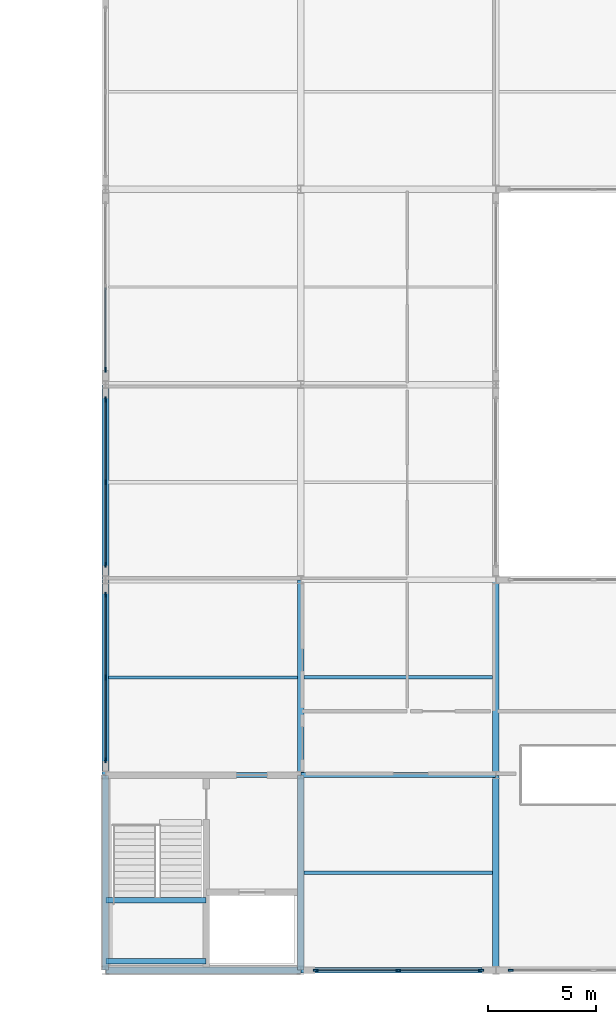
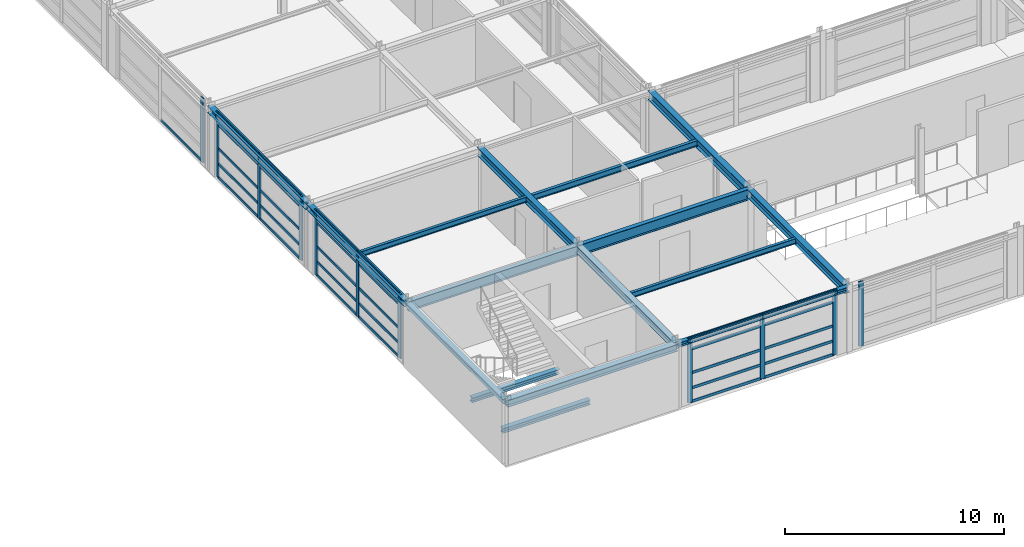
# One storey, part 25 of 79: 42 members, 16 beams, 5 elements without a shape of their own.
"""IFC4 building model written with IfcOpenShell, lengths in metres."""

import ifcopenshell
import ifcopenshell.guid

model = None  # the IFC model being written
_history = None  # IfcOwnerHistory: only IFC2X3 demands one
_inside = {}  # id of a spatial element -> (the spatial element, [elements in it])
_under = {}  # id of a project, library or spatial element -> (it, [spatial elements below it])
_declared = {}  # id of a project -> (the project, [libraries it declares])
_typed = {}  # id of a type object -> (the type object, [elements of that type])
_made_of = {}  # id of a material, layer set ... -> (it, [elements and type objects made of it])


def new_model(schema):
    """Start an empty IFC model of exactly this schema.

    Asked for "IFC4X3", IfcOpenShell would pick the latest addendum, in which some entities
    have other attributes; the version numbers below select the first issue.
    IFC2X3 requires an IfcOwnerHistory on every rooted entity: one is made here for all.
    """
    global model, _history
    if schema == "IFC4X3":
        model = ifcopenshell.file(schema_version=(4, 3, 0, 0))
    else:
        model = ifcopenshell.file(schema=schema)
    _inside.clear()
    _under.clear()
    _declared.clear()
    _typed.clear()
    _made_of.clear()
    _history = None
    if model.schema == "IFC2X3":
        org = make("IfcOrganization", Name="unknown")
        user = make(
            "IfcPersonAndOrganization",
            ThePerson=make("IfcPerson", FamilyName="unknown"),
            TheOrganization=org,
        )
        app = make(
            "IfcApplication",
            ApplicationDeveloper=org,
            Version="unknown",
            ApplicationFullName="unknown",
            ApplicationIdentifier="unknown",
        )
        _history = make(
            "IfcOwnerHistory",
            OwningUser=user,
            OwningApplication=app,
            ChangeAction="ADDED",
            CreationDate=0,
        )
    return model


def make(cls, **values):
    """One entity of the class cls with the attributes given. An attribute that is None is left unset."""
    return model.create_entity(
        cls, **{name: value for name, value in values.items() if value is not None}
    )


def rooted(cls, **values):
    """An entity with a GlobalId (a new one), such as an element, a storey or a relation."""
    return make(cls, GlobalId=ifcopenshell.guid.new(), OwnerHistory=_history, **values)


def si_unit(unit_type, name, prefix=None):
    """IfcSIUnit, for example si_unit("LENGTHUNIT", "METRE", prefix="MILLI")."""
    return make("IfcSIUnit", UnitType=unit_type, Prefix=prefix, Name=name)


def assignment(units):
    """IfcUnitAssignment: the units of a project."""
    return None if units is None else make("IfcUnitAssignment", Units=units)


def point(xyz):
    """IfcCartesianPoint."""
    return None if xyz is None else make("IfcCartesianPoint", Coordinates=xyz)


def direction(xyz):
    """IfcDirection."""
    return None if xyz is None else make("IfcDirection", DirectionRatios=xyz)


def frame(location, z_axis=None, x_axis=None):
    """IfcAxis2Placement3D, a coordinate frame: its origin and axes. An axis left out is left unset."""
    return make(
        "IfcAxis2Placement3D",
        Location=point(location),
        Axis=direction(z_axis),
        RefDirection=direction(x_axis),
    )


def frame_2d(location, x_axis=None):
    """IfcAxis2Placement2D, a coordinate frame in the plane: its origin and x axis."""
    return make(
        "IfcAxis2Placement2D", Location=point(location), RefDirection=direction(x_axis)
    )


def origin():
    """The frame at (0, 0, 0) with its axes left unset."""
    return frame((0.0, 0.0, 0.0))


def origin_2d():
    """The frame at (0, 0) in the plane with its x axis left unset."""
    return frame_2d((0.0, 0.0))


def place(relative_to, where):
    """IfcLocalPlacement: puts the frame where relative to a parent placement (None: the world)."""
    return make(
        "IfcLocalPlacement", PlacementRelTo=relative_to, RelativePlacement=where
    )


def context(
    kind, dimensions, precision=None, world=None, true_north=None, identifier=None
):
    """IfcGeometricRepresentationContext, for example the 3D "Model" context."""
    return make(
        "IfcGeometricRepresentationContext",
        ContextIdentifier=identifier,
        ContextType=kind,
        CoordinateSpaceDimension=dimensions,
        Precision=precision,
        WorldCoordinateSystem=world,
        TrueNorth=true_north,
    )


def subcontext(parent, identifier, kind, view, scale=None):
    """IfcGeometricRepresentationSubContext, for example "Body" below "Model"."""
    return make(
        "IfcGeometricRepresentationSubContext",
        ContextIdentifier=identifier,
        ContextType=kind,
        ParentContext=parent,
        TargetScale=scale,
        TargetView=view,
    )


def project(units=None, contexts=None):
    """IfcProject with its units and contexts."""
    return rooted(
        "IfcProject",
        Name="project",
        RepresentationContexts=contexts,
        UnitsInContext=assignment(units),
    )


def spatial(cls, under=None, at=None, **own):
    """A site, building, storey or space (cls), placed at a placement, below another one or the project."""
    s = rooted(cls, ObjectPlacement=at, **own)
    if under is not None:
        _under.setdefault(under.id(), (under, []))[1].append(s)
    return s


def profile(cls, at=None, kind="AREA", **sizes):
    """A parametric profile (cls). Its sizes go by their IFC names, for example OverallWidth=200.0."""
    return make(cls, ProfileType=kind, Position=at, **sizes)


def rectangle(**sizes):
    """IfcRectangleProfileDef."""
    return profile("IfcRectangleProfileDef", **sizes)


def i_section(**sizes):
    """IfcIShapeProfileDef."""
    return profile("IfcIShapeProfileDef", **sizes)


def extrude(swept, where, along, depth):
    """IfcExtrudedAreaSolid: the profile swept, set in the frame where, extruded along a direction by depth."""
    return make(
        "IfcExtrudedAreaSolid",
        SweptArea=swept,
        Position=where,
        ExtrudedDirection=direction(along),
        Depth=depth,
    )


def shape(context_of_items, identifier, shape_type, items):
    """IfcShapeRepresentation: the items that make up one representation, for example the "Body"."""
    return make(
        "IfcShapeRepresentation",
        ContextOfItems=context_of_items,
        RepresentationIdentifier=identifier,
        RepresentationType=shape_type,
        Items=items,
    )


def material(Name=None, Category=None):
    """IfcMaterial."""
    return make("IfcMaterial", Name=Name, Category=Category)


def material_profile(
    of_material, cross_section, Name=None, Category=None, Priority=None
):
    """IfcMaterialProfile: a cross section and its material."""
    return make(
        "IfcMaterialProfile",
        Name=Name,
        Material=of_material,
        Profile=cross_section,
        Priority=Priority,
        Category=Category,
    )


def profile_set(profiles, Name=None, composite=None):
    """IfcMaterialProfileSet."""
    return make(
        "IfcMaterialProfileSet",
        Name=Name,
        MaterialProfiles=profiles,
        CompositeProfile=composite,
    )


def made_of(thing, what):
    """Note that an element or type object is made of a material, layer set ...; save() writes the relation."""
    if what is not None:
        _made_of.setdefault(what.id(), (what, []))[1].append(thing)
    return thing


def type_object(cls, material=None, **own):
    """A type object (cls), such as IfcWallType, which elements share."""
    return made_of(rooted(cls, **own), material)


def element(
    cls,
    number,
    at=None,
    inside=None,
    cuts=None,
    type_object=None,
    material=None,
    context=None,
    identifier="Body",
    shape_type=None,
    held_by="IfcProductDefinitionShape",
    body=None,
    shapes=None,
    **own,
):
    """One element of the class cls, such as IfcWall. Its Tag is "e" and its number.

    at: its placement. inside: the storey or other place that contains it. cuts: it is an
    opening in that element (IfcRelVoidsElement). A single representation is given by context,
    identifier, shape_type and body (its items); several are given by shapes. held_by: the class
    of the entity that holds the representations. save() writes the other relations.
    """
    e = rooted(cls, Tag="e%d" % number, ObjectPlacement=at, **own)
    if body is not None:
        shapes = [shape(context, identifier, shape_type, body)]
    if shapes is not None:
        e.Representation = make(held_by, Representations=shapes)
    if inside is not None:
        _inside.setdefault(inside.id(), (inside, []))[1].append(e)
    if cuts is not None:
        rooted(
            "IfcRelVoidsElement", RelatingBuildingElement=cuts, RelatedOpeningElement=e
        )
    if type_object is not None:
        _typed.setdefault(type_object.id(), (type_object, []))[1].append(e)
    return made_of(e, material)


def aggregate(whole, parts):
    """IfcRelAggregates: a whole, such as a stair, and the parts it consists of."""
    return rooted("IfcRelAggregates", RelatingObject=whole, RelatedObjects=parts)


def save(model, path):
    """Write the relations noted so far, then the file.

    IfcRelAggregates (storeys below a building ...), IfcRelContainedInSpatialStructure (elements
    in a storey), IfcRelDefinesByType, IfcRelAssociatesMaterial and IfcRelDeclares: one each for
    every whole, place, type object, material and project.
    """
    for whole, parts in _under.values():
        aggregate(whole, parts)
    for where, things in _inside.values():
        rooted(
            "IfcRelContainedInSpatialStructure",
            RelatedElements=things,
            RelatingStructure=where,
        )
    for kind, things in _typed.values():
        rooted("IfcRelDefinesByType", RelatedObjects=things, RelatingType=kind)
    for what, things in _made_of.values():
        rooted("IfcRelAssociatesMaterial", RelatedObjects=things, RelatingMaterial=what)
    for by, libraries in _declared.values():
        rooted("IfcRelDeclares", RelatingContext=by, RelatedDefinitions=libraries)
    model.write(path)


model = new_model("IFC4")

# Units and contexts
model_context = context("Model", 3, precision=1e-05, world=origin(), true_north=direction((0.0, 1.0)))
body_context = subcontext(model_context, "Body", "Model", "MODEL_VIEW")
ifc_project = project(units=[si_unit("LENGTHUNIT", "METRE"), si_unit("AREAUNIT", "SQUARE_METRE"), si_unit("VOLUMEUNIT", "CUBIC_METRE"), si_unit("PLANEANGLEUNIT", "RADIAN"), si_unit("MASSUNIT", "GRAM", prefix="KILO")], contexts=[model_context])

# Site, building, storey
site_placement = place(None, origin())
site = spatial("IfcSite", under=ifc_project, at=site_placement, CompositionType="ELEMENT")
building_placement = place(site_placement, origin())
building = spatial("IfcBuilding", under=site, at=building_placement, Name="Palais des Congres Ocreval", CompositionType="ELEMENT")
storey_placement = place(building_placement, frame((0.0, 0.0, 4.320068359375)))
storey = spatial("IfcBuildingStorey", under=building, at=storey_placement, Name="L01", CompositionType="ELEMENT", Elevation=4.320068359375)

# Beams
ifc_material_1 = material(Name="Steel S355", Category="steel")
ifc_material_profile_1 = material_profile(ifc_material_1, i_section(OverallWidth=0.2099609375, OverallDepth=0.550048828125, WebThickness=0.010986328125, FlangeThickness=0.01708984375, at=origin_2d()), Name="IPE 550")
ifc_profile_set_1 = profile_set([ifc_material_profile_1], Name="Steel S355")
beam_type_1 = type_object("IfcBeamType", Name="Composite Beam IPE 550 Steel S355", PredefinedType="BEAM", material=ifc_profile_set_1)
beam_1_placement = place(storey_placement, frame((108.02001953125, 9.0, 3.304931640625), z_axis=(1.0, 0.0, 0.0), x_axis=(0.0, 1.0, 0.0)))
element("IfcBeam", 1, at=beam_1_placement, inside=storey, type_object=beam_type_1, Name="Beam B05 L01", PredefinedType="BEAM", context=body_context, shape_type="SweptSolid", body=[
    extrude(i_section(OverallWidth=0.2099609375, OverallDepth=0.550048828125, WebThickness=0.010986328125, FlangeThickness=0.01708984375, at=origin_2d()), origin(), (0.0, 0.0, 1.0), 8.9599609375),
])
ifc_material_profile_2 = material_profile(ifc_material_1, i_section(OverallWidth=0.219970703125, OverallDepth=0.60009765625, WebThickness=0.011962890625, FlangeThickness=0.01904296875, at=origin_2d()), Name="IPE 600")
ifc_profile_set_2 = profile_set([ifc_material_profile_2], Name="Steel S355")
beam_type_2 = type_object("IfcBeamType", Name="Composite Beam IPE 600 Steel S355", PredefinedType="BEAM", material=ifc_profile_set_2)
beam_2_placement = place(storey_placement, frame((117.02001953125, 9.0, 3.280029296875), z_axis=(1.0, 0.0, 0.0), x_axis=(0.0, 1.0, 0.0)))
element("IfcBeam", 2, at=beam_2_placement, inside=storey, type_object=beam_type_2, Name="Beam B06 L01", PredefinedType="BEAM", context=body_context, shape_type="SweptSolid", body=[
    extrude(i_section(OverallWidth=0.219970703125, OverallDepth=0.60009765625, WebThickness=0.011962890625, FlangeThickness=0.01904296875, at=origin_2d()), origin(), (0.0, 0.0, 1.0), 8.9599609375),
])

# Curtain wall, member
ifc_material_2 = material(Name="Anodized bronze aluminium and low-E glass", Category="glass")
curtain_wall_type = type_object("IfcCurtainWallType", Name="Unitised Curtain Wall 7900x3660", PredefinedType="USERDEFINED", material=ifc_material_2)
curtain_wall_1_placement = place(storey_placement, origin())
curtain_wall_1 = element("IfcCurtainWall", 3, at=curtain_wall_1_placement, inside=storey, type_object=curtain_wall_type, Name="Unitised Curtain Wall CW02 L01", ObjectType="UNITISED CURTAIN WALL", PredefinedType="USERDEFINED")
ifc_material_3 = material(Name="Anodized bronze aluminium", Category="aluminium")
ifc_material_profile_3 = material_profile(ifc_material_3, rectangle(XDim=0.074951171875, YDim=0.239990234375, at=origin_2d()), Name="ALU 75x240")
ifc_profile_set_3 = profile_set([ifc_material_profile_3], Name="Anodized bronze aluminium")
member_type_1 = type_object("IfcMemberType", Name="Curtain Wall Mullion ALU 75x240", PredefinedType="MULLION", material=ifc_profile_set_3)
member_1_placement = place(storey_placement, frame((126.6875, 0.0, 0.0), z_axis=(0.0, 0.0, 1.0), x_axis=(0.0, -1.0, 0.0)))
member_1 = element("IfcMember", 4, at=member_1_placement, type_object=member_type_1, Name="Curtain Wall Mullion ML01", PredefinedType="MULLION", context=body_context, shape_type="SweptSolid", body=[
    extrude(rectangle(XDim=0.074951171875, YDim=0.239990234375, at=origin_2d()), origin(), (0.0, 0.0, 1.0), 3.599853515625),
])
aggregate(curtain_wall_1, [member_1])

# Curtain wall, members
curtain_wall_2_placement = place(storey_placement, origin())
curtain_wall_2 = element("IfcCurtainWall", 5, at=curtain_wall_2_placement, inside=storey, type_object=curtain_wall_type, Name="Unitised Curtain Wall CW02 L01", ObjectType="UNITISED CURTAIN WALL", PredefinedType="USERDEFINED")
member_2_placement = place(storey_placement, frame((125.3125, 0.0, 0.0), z_axis=(0.0, 0.0, 1.0), x_axis=(0.0, -1.0, 0.0)))
member_2 = element("IfcMember", 6, at=member_2_placement, type_object=member_type_1, Name="Curtain Wall Mullion ML01", PredefinedType="MULLION", context=body_context, shape_type="SweptSolid", body=[
    extrude(rectangle(XDim=0.074951171875, YDim=0.239990234375, at=origin_2d()), origin(), (0.0, 0.0, 1.0), 3.599853515625),
])
member_3_placement = place(storey_placement, frame((121.5, 0.0, 0.0), z_axis=(0.0, 0.0, 1.0), x_axis=(0.0, -1.0, 0.0)))
member_3 = element("IfcMember", 7, at=member_3_placement, type_object=member_type_1, Name="Curtain Wall Mullion ML01", PredefinedType="MULLION", context=body_context, shape_type="SweptSolid", body=[
    extrude(rectangle(XDim=0.074951171875, YDim=0.239990234375, at=origin_2d()), origin(), (0.0, 0.0, 1.0), 3.599853515625),
])
member_4_placement = place(storey_placement, frame((117.6875, 0.0, 0.0), z_axis=(0.0, 0.0, 1.0), x_axis=(0.0, -1.0, 0.0)))
member_4 = element("IfcMember", 8, at=member_4_placement, type_object=member_type_1, Name="Curtain Wall Mullion ML01", PredefinedType="MULLION", context=body_context, shape_type="SweptSolid", body=[
    extrude(rectangle(XDim=0.074951171875, YDim=0.239990234375, at=origin_2d()), origin(), (0.0, 0.0, 1.0), 3.599853515625),
])

curtain_wall_3_placement = place(storey_placement, origin())
curtain_wall_3 = element("IfcCurtainWall", 9, at=curtain_wall_3_placement, inside=storey, type_object=curtain_wall_type, Name="Unitised Curtain Wall CW02 L01", ObjectType="UNITISED CURTAIN WALL", PredefinedType="USERDEFINED")
member_5_placement = place(storey_placement, frame((108.0, 9.6875, 0.0), z_axis=(0.0, 0.0, 1.0), x_axis=(-1.0, 0.0, 0.0)))
member_5 = element("IfcMember", 10, at=member_5_placement, type_object=member_type_1, Name="Curtain Wall Mullion ML01", PredefinedType="MULLION", context=body_context, shape_type="SweptSolid", body=[
    extrude(rectangle(XDim=0.074951171875, YDim=0.239990234375, at=origin_2d()), origin(), (0.0, 0.0, 1.0), 3.599853515625),
])
member_6_placement = place(storey_placement, frame((108.0, 13.5, 0.0), z_axis=(0.0, 0.0, 1.0), x_axis=(-1.0, 0.0, 0.0)))
member_6 = element("IfcMember", 11, at=member_6_placement, type_object=member_type_1, Name="Curtain Wall Mullion ML01", PredefinedType="MULLION", context=body_context, shape_type="SweptSolid", body=[
    extrude(rectangle(XDim=0.074951171875, YDim=0.239990234375, at=origin_2d()), origin(), (0.0, 0.0, 1.0), 3.599853515625),
])
member_7_placement = place(storey_placement, frame((108.0, 17.3125, 0.0), z_axis=(0.0, 0.0, 1.0), x_axis=(-1.0, 0.0, 0.0)))
member_7 = element("IfcMember", 12, at=member_7_placement, type_object=member_type_1, Name="Curtain Wall Mullion ML01", PredefinedType="MULLION", context=body_context, shape_type="SweptSolid", body=[
    extrude(rectangle(XDim=0.074951171875, YDim=0.239990234375, at=origin_2d()), origin(), (0.0, 0.0, 1.0), 3.599853515625),
])

curtain_wall_4_placement = place(storey_placement, origin())
curtain_wall_4 = element("IfcCurtainWall", 13, at=curtain_wall_4_placement, inside=storey, type_object=curtain_wall_type, Name="Unitised Curtain Wall CW02 L01", ObjectType="UNITISED CURTAIN WALL", PredefinedType="USERDEFINED")
member_8_placement = place(storey_placement, frame((108.0, 18.6875, 0.0), z_axis=(0.0, 0.0, 1.0), x_axis=(-1.0, 0.0, 0.0)))
member_8 = element("IfcMember", 14, at=member_8_placement, type_object=member_type_1, Name="Curtain Wall Mullion ML01", PredefinedType="MULLION", context=body_context, shape_type="SweptSolid", body=[
    extrude(rectangle(XDim=0.074951171875, YDim=0.239990234375, at=origin_2d()), origin(), (0.0, 0.0, 1.0), 3.599853515625),
])
member_9_placement = place(storey_placement, frame((108.0, 22.5, 0.0), z_axis=(0.0, 0.0, 1.0), x_axis=(-1.0, 0.0, 0.0)))
member_9 = element("IfcMember", 15, at=member_9_placement, type_object=member_type_1, Name="Curtain Wall Mullion ML01", PredefinedType="MULLION", context=body_context, shape_type="SweptSolid", body=[
    extrude(rectangle(XDim=0.074951171875, YDim=0.239990234375, at=origin_2d()), origin(), (0.0, 0.0, 1.0), 3.599853515625),
])
member_10_placement = place(storey_placement, frame((108.0, 26.3125, 0.0), z_axis=(0.0, 0.0, 1.0), x_axis=(-1.0, 0.0, 0.0)))
member_10 = element("IfcMember", 16, at=member_10_placement, type_object=member_type_1, Name="Curtain Wall Mullion ML01", PredefinedType="MULLION", context=body_context, shape_type="SweptSolid", body=[
    extrude(rectangle(XDim=0.074951171875, YDim=0.239990234375, at=origin_2d()), origin(), (0.0, 0.0, 1.0), 3.599853515625),
])

# Curtain wall, member
curtain_wall_5_placement = place(storey_placement, origin())
curtain_wall_5 = element("IfcCurtainWall", 17, at=curtain_wall_5_placement, inside=storey, type_object=curtain_wall_type, Name="Unitised Curtain Wall CW02 L01", ObjectType="UNITISED CURTAIN WALL", PredefinedType="USERDEFINED")
member_11_placement = place(storey_placement, frame((108.0, 27.6875, 0.0), z_axis=(0.0, 0.0, 1.0), x_axis=(-1.0, 0.0, 0.0)))
member_11 = element("IfcMember", 18, at=member_11_placement, type_object=member_type_1, Name="Curtain Wall Mullion ML01", PredefinedType="MULLION", context=body_context, shape_type="SweptSolid", body=[
    extrude(rectangle(XDim=0.074951171875, YDim=0.239990234375, at=origin_2d()), origin(), (0.0, 0.0, 1.0), 3.599853515625),
])

# Member
ifc_material_profile_4 = material_profile(ifc_material_3, rectangle(XDim=0.06005859375, YDim=0.14990234375, at=origin_2d()), Name="ALU 60x150")
ifc_profile_set_4 = profile_set([ifc_material_profile_4], Name="Anodized bronze aluminium")
member_type_2 = type_object("IfcMemberType", Name="Curtain Wall Transom ALU 60x150", PredefinedType="USERDEFINED", material=ifc_profile_set_4)
member_12_placement = place(storey_placement, frame((125.27490234375, 0.0, 0.030029296875), z_axis=(-1.0, 0.0, 0.0), x_axis=(0.0, -1.0, 0.0)))
member_12 = element("IfcMember", 19, at=member_12_placement, type_object=member_type_2, Name="Curtain Wall Transom TR01", ObjectType="TRANSOM", PredefinedType="USERDEFINED", context=body_context, shape_type="SweptSolid", body=[
    extrude(rectangle(XDim=0.06005859375, YDim=0.14990234375, at=origin_2d()), origin(), (0.0, 0.0, 1.0), 3.7373046875),
])

member_13_placement = place(storey_placement, frame((125.27490234375, 0.0, 0.780029296875), z_axis=(-1.0, 0.0, 0.0), x_axis=(0.0, -1.0, 0.0)))
member_13 = element("IfcMember", 20, at=member_13_placement, type_object=member_type_2, Name="Curtain Wall Transom TR01", ObjectType="TRANSOM", PredefinedType="USERDEFINED", context=body_context, shape_type="SweptSolid", body=[
    extrude(rectangle(XDim=0.06005859375, YDim=0.14990234375, at=origin_2d()), origin(), (0.0, 0.0, 1.0), 3.7373046875),
])

member_14_placement = place(storey_placement, frame((125.27490234375, 0.0, 1.622314453125), z_axis=(-1.0, 0.0, 0.0), x_axis=(0.0, -1.0, 0.0)))
member_14 = element("IfcMember", 21, at=member_14_placement, type_object=member_type_2, Name="Curtain Wall Transom TR01", ObjectType="TRANSOM", PredefinedType="USERDEFINED", context=body_context, shape_type="SweptSolid", body=[
    extrude(rectangle(XDim=0.06005859375, YDim=0.14990234375, at=origin_2d()), origin(), (0.0, 0.0, 1.0), 3.7373046875),
])

member_15_placement = place(storey_placement, frame((125.27490234375, 0.0, 2.949951171875), z_axis=(-1.0, 0.0, 0.0), x_axis=(0.0, -1.0, 0.0)))
member_15 = element("IfcMember", 22, at=member_15_placement, type_object=member_type_2, Name="Curtain Wall Transom TR01", ObjectType="TRANSOM", PredefinedType="USERDEFINED", context=body_context, shape_type="SweptSolid", body=[
    extrude(rectangle(XDim=0.06005859375, YDim=0.14990234375, at=origin_2d()), origin(), (0.0, 0.0, 1.0), 3.7373046875),
])

member_16_placement = place(storey_placement, frame((125.27490234375, 0.0, 3.56982421875), z_axis=(-1.0, 0.0, 0.0), x_axis=(0.0, -1.0, 0.0)))
member_16 = element("IfcMember", 23, at=member_16_placement, type_object=member_type_2, Name="Curtain Wall Transom TR01", ObjectType="TRANSOM", PredefinedType="USERDEFINED", context=body_context, shape_type="SweptSolid", body=[
    extrude(rectangle(XDim=0.06005859375, YDim=0.14990234375, at=origin_2d()), origin(), (0.0, 0.0, 1.0), 3.7373046875),
])

member_17_placement = place(storey_placement, frame((121.46240234375, 0.0, 0.030029296875), z_axis=(-1.0, 0.0, 0.0), x_axis=(0.0, -1.0, 0.0)))
member_17 = element("IfcMember", 24, at=member_17_placement, type_object=member_type_2, Name="Curtain Wall Transom TR01", ObjectType="TRANSOM", PredefinedType="USERDEFINED", context=body_context, shape_type="SweptSolid", body=[
    extrude(rectangle(XDim=0.06005859375, YDim=0.14990234375, at=origin_2d()), origin(), (0.0, 0.0, 1.0), 3.7373046875),
])

member_18_placement = place(storey_placement, frame((121.46240234375, 0.0, 0.780029296875), z_axis=(-1.0, 0.0, 0.0), x_axis=(0.0, -1.0, 0.0)))
member_18 = element("IfcMember", 25, at=member_18_placement, type_object=member_type_2, Name="Curtain Wall Transom TR01", ObjectType="TRANSOM", PredefinedType="USERDEFINED", context=body_context, shape_type="SweptSolid", body=[
    extrude(rectangle(XDim=0.06005859375, YDim=0.14990234375, at=origin_2d()), origin(), (0.0, 0.0, 1.0), 3.7373046875),
])

member_19_placement = place(storey_placement, frame((121.46240234375, 0.0, 1.622314453125), z_axis=(-1.0, 0.0, 0.0), x_axis=(0.0, -1.0, 0.0)))
member_19 = element("IfcMember", 26, at=member_19_placement, type_object=member_type_2, Name="Curtain Wall Transom TR01", ObjectType="TRANSOM", PredefinedType="USERDEFINED", context=body_context, shape_type="SweptSolid", body=[
    extrude(rectangle(XDim=0.06005859375, YDim=0.14990234375, at=origin_2d()), origin(), (0.0, 0.0, 1.0), 3.7373046875),
])

member_20_placement = place(storey_placement, frame((121.46240234375, 0.0, 2.949951171875), z_axis=(-1.0, 0.0, 0.0), x_axis=(0.0, -1.0, 0.0)))
member_20 = element("IfcMember", 27, at=member_20_placement, type_object=member_type_2, Name="Curtain Wall Transom TR01", ObjectType="TRANSOM", PredefinedType="USERDEFINED", context=body_context, shape_type="SweptSolid", body=[
    extrude(rectangle(XDim=0.06005859375, YDim=0.14990234375, at=origin_2d()), origin(), (0.0, 0.0, 1.0), 3.7373046875),
])

member_21_placement = place(storey_placement, frame((121.46240234375, 0.0, 3.56982421875), z_axis=(-1.0, 0.0, 0.0), x_axis=(0.0, -1.0, 0.0)))
member_21 = element("IfcMember", 28, at=member_21_placement, type_object=member_type_2, Name="Curtain Wall Transom TR01", ObjectType="TRANSOM", PredefinedType="USERDEFINED", context=body_context, shape_type="SweptSolid", body=[
    extrude(rectangle(XDim=0.06005859375, YDim=0.14990234375, at=origin_2d()), origin(), (0.0, 0.0, 1.0), 3.7373046875),
])

aggregate(curtain_wall_2, [member_2, member_3, member_4, member_12, member_13, member_14, member_15, member_16, member_17, member_18, member_19, member_20, member_21])

member_22_placement = place(storey_placement, frame((108.0, 9.72509765625, 0.030029296875), z_axis=(0.0, 1.0, 0.0), x_axis=(-1.0, 0.0, 0.0)))
member_22 = element("IfcMember", 29, at=member_22_placement, type_object=member_type_2, Name="Curtain Wall Transom TR01", ObjectType="TRANSOM", PredefinedType="USERDEFINED", context=body_context, shape_type="SweptSolid", body=[
    extrude(rectangle(XDim=0.06005859375, YDim=0.14990234375, at=origin_2d()), origin(), (0.0, 0.0, 1.0), 3.7373046875),
])

member_23_placement = place(storey_placement, frame((108.0, 9.72509765625, 0.780029296875), z_axis=(0.0, 1.0, 0.0), x_axis=(-1.0, 0.0, 0.0)))
member_23 = element("IfcMember", 30, at=member_23_placement, type_object=member_type_2, Name="Curtain Wall Transom TR01", ObjectType="TRANSOM", PredefinedType="USERDEFINED", context=body_context, shape_type="SweptSolid", body=[
    extrude(rectangle(XDim=0.06005859375, YDim=0.14990234375, at=origin_2d()), origin(), (0.0, 0.0, 1.0), 3.7373046875),
])

member_24_placement = place(storey_placement, frame((108.0, 9.72509765625, 1.622314453125), z_axis=(0.0, 1.0, 0.0), x_axis=(-1.0, 0.0, 0.0)))
member_24 = element("IfcMember", 31, at=member_24_placement, type_object=member_type_2, Name="Curtain Wall Transom TR01", ObjectType="TRANSOM", PredefinedType="USERDEFINED", context=body_context, shape_type="SweptSolid", body=[
    extrude(rectangle(XDim=0.06005859375, YDim=0.14990234375, at=origin_2d()), origin(), (0.0, 0.0, 1.0), 3.7373046875),
])

member_25_placement = place(storey_placement, frame((108.0, 9.72509765625, 2.949951171875), z_axis=(0.0, 1.0, 0.0), x_axis=(-1.0, 0.0, 0.0)))
member_25 = element("IfcMember", 32, at=member_25_placement, type_object=member_type_2, Name="Curtain Wall Transom TR01", ObjectType="TRANSOM", PredefinedType="USERDEFINED", context=body_context, shape_type="SweptSolid", body=[
    extrude(rectangle(XDim=0.06005859375, YDim=0.14990234375, at=origin_2d()), origin(), (0.0, 0.0, 1.0), 3.7373046875),
])

member_26_placement = place(storey_placement, frame((108.0, 9.72509765625, 3.56982421875), z_axis=(0.0, 1.0, 0.0), x_axis=(-1.0, 0.0, 0.0)))
member_26 = element("IfcMember", 33, at=member_26_placement, type_object=member_type_2, Name="Curtain Wall Transom TR01", ObjectType="TRANSOM", PredefinedType="USERDEFINED", context=body_context, shape_type="SweptSolid", body=[
    extrude(rectangle(XDim=0.06005859375, YDim=0.14990234375, at=origin_2d()), origin(), (0.0, 0.0, 1.0), 3.7373046875),
])

member_27_placement = place(storey_placement, frame((108.0, 13.53759765625, 0.030029296875), z_axis=(0.0, 1.0, 0.0), x_axis=(-1.0, 0.0, 0.0)))
member_27 = element("IfcMember", 34, at=member_27_placement, type_object=member_type_2, Name="Curtain Wall Transom TR01", ObjectType="TRANSOM", PredefinedType="USERDEFINED", context=body_context, shape_type="SweptSolid", body=[
    extrude(rectangle(XDim=0.06005859375, YDim=0.14990234375, at=origin_2d()), origin(), (0.0, 0.0, 1.0), 3.7373046875),
])

member_28_placement = place(storey_placement, frame((108.0, 13.53759765625, 0.780029296875), z_axis=(0.0, 1.0, 0.0), x_axis=(-1.0, 0.0, 0.0)))
member_28 = element("IfcMember", 35, at=member_28_placement, type_object=member_type_2, Name="Curtain Wall Transom TR01", ObjectType="TRANSOM", PredefinedType="USERDEFINED", context=body_context, shape_type="SweptSolid", body=[
    extrude(rectangle(XDim=0.06005859375, YDim=0.14990234375, at=origin_2d()), origin(), (0.0, 0.0, 1.0), 3.7373046875),
])

member_29_placement = place(storey_placement, frame((108.0, 13.53759765625, 1.622314453125), z_axis=(0.0, 1.0, 0.0), x_axis=(-1.0, 0.0, 0.0)))
member_29 = element("IfcMember", 36, at=member_29_placement, type_object=member_type_2, Name="Curtain Wall Transom TR01", ObjectType="TRANSOM", PredefinedType="USERDEFINED", context=body_context, shape_type="SweptSolid", body=[
    extrude(rectangle(XDim=0.06005859375, YDim=0.14990234375, at=origin_2d()), origin(), (0.0, 0.0, 1.0), 3.7373046875),
])

member_30_placement = place(storey_placement, frame((108.0, 13.53759765625, 2.949951171875), z_axis=(0.0, 1.0, 0.0), x_axis=(-1.0, 0.0, 0.0)))
member_30 = element("IfcMember", 37, at=member_30_placement, type_object=member_type_2, Name="Curtain Wall Transom TR01", ObjectType="TRANSOM", PredefinedType="USERDEFINED", context=body_context, shape_type="SweptSolid", body=[
    extrude(rectangle(XDim=0.06005859375, YDim=0.14990234375, at=origin_2d()), origin(), (0.0, 0.0, 1.0), 3.7373046875),
])

member_31_placement = place(storey_placement, frame((108.0, 13.53759765625, 3.56982421875), z_axis=(0.0, 1.0, 0.0), x_axis=(-1.0, 0.0, 0.0)))
member_31 = element("IfcMember", 38, at=member_31_placement, type_object=member_type_2, Name="Curtain Wall Transom TR01", ObjectType="TRANSOM", PredefinedType="USERDEFINED", context=body_context, shape_type="SweptSolid", body=[
    extrude(rectangle(XDim=0.06005859375, YDim=0.14990234375, at=origin_2d()), origin(), (0.0, 0.0, 1.0), 3.7373046875),
])

aggregate(curtain_wall_3, [member_5, member_6, member_7, member_22, member_23, member_24, member_25, member_26, member_27, member_28, member_29, member_30, member_31])

member_32_placement = place(storey_placement, frame((108.0, 18.72509765625, 0.030029296875), z_axis=(0.0, 1.0, 0.0), x_axis=(-1.0, 0.0, 0.0)))
member_32 = element("IfcMember", 39, at=member_32_placement, type_object=member_type_2, Name="Curtain Wall Transom TR01", ObjectType="TRANSOM", PredefinedType="USERDEFINED", context=body_context, shape_type="SweptSolid", body=[
    extrude(rectangle(XDim=0.06005859375, YDim=0.14990234375, at=origin_2d()), origin(), (0.0, 0.0, 1.0), 3.7373046875),
])

member_33_placement = place(storey_placement, frame((108.0, 18.72509765625, 0.780029296875), z_axis=(0.0, 1.0, 0.0), x_axis=(-1.0, 0.0, 0.0)))
member_33 = element("IfcMember", 40, at=member_33_placement, type_object=member_type_2, Name="Curtain Wall Transom TR01", ObjectType="TRANSOM", PredefinedType="USERDEFINED", context=body_context, shape_type="SweptSolid", body=[
    extrude(rectangle(XDim=0.06005859375, YDim=0.14990234375, at=origin_2d()), origin(), (0.0, 0.0, 1.0), 3.7373046875),
])

member_34_placement = place(storey_placement, frame((108.0, 18.72509765625, 1.622314453125), z_axis=(0.0, 1.0, 0.0), x_axis=(-1.0, 0.0, 0.0)))
member_34 = element("IfcMember", 41, at=member_34_placement, type_object=member_type_2, Name="Curtain Wall Transom TR01", ObjectType="TRANSOM", PredefinedType="USERDEFINED", context=body_context, shape_type="SweptSolid", body=[
    extrude(rectangle(XDim=0.06005859375, YDim=0.14990234375, at=origin_2d()), origin(), (0.0, 0.0, 1.0), 3.7373046875),
])

member_35_placement = place(storey_placement, frame((108.0, 18.72509765625, 2.949951171875), z_axis=(0.0, 1.0, 0.0), x_axis=(-1.0, 0.0, 0.0)))
member_35 = element("IfcMember", 42, at=member_35_placement, type_object=member_type_2, Name="Curtain Wall Transom TR01", ObjectType="TRANSOM", PredefinedType="USERDEFINED", context=body_context, shape_type="SweptSolid", body=[
    extrude(rectangle(XDim=0.06005859375, YDim=0.14990234375, at=origin_2d()), origin(), (0.0, 0.0, 1.0), 3.7373046875),
])

member_36_placement = place(storey_placement, frame((108.0, 18.72509765625, 3.56982421875), z_axis=(0.0, 1.0, 0.0), x_axis=(-1.0, 0.0, 0.0)))
member_36 = element("IfcMember", 43, at=member_36_placement, type_object=member_type_2, Name="Curtain Wall Transom TR01", ObjectType="TRANSOM", PredefinedType="USERDEFINED", context=body_context, shape_type="SweptSolid", body=[
    extrude(rectangle(XDim=0.06005859375, YDim=0.14990234375, at=origin_2d()), origin(), (0.0, 0.0, 1.0), 3.7373046875),
])

member_37_placement = place(storey_placement, frame((108.0, 22.53759765625, 0.030029296875), z_axis=(0.0, 1.0, 0.0), x_axis=(-1.0, 0.0, 0.0)))
member_37 = element("IfcMember", 44, at=member_37_placement, type_object=member_type_2, Name="Curtain Wall Transom TR01", ObjectType="TRANSOM", PredefinedType="USERDEFINED", context=body_context, shape_type="SweptSolid", body=[
    extrude(rectangle(XDim=0.06005859375, YDim=0.14990234375, at=origin_2d()), origin(), (0.0, 0.0, 1.0), 3.7373046875),
])

member_38_placement = place(storey_placement, frame((108.0, 22.53759765625, 0.780029296875), z_axis=(0.0, 1.0, 0.0), x_axis=(-1.0, 0.0, 0.0)))
member_38 = element("IfcMember", 45, at=member_38_placement, type_object=member_type_2, Name="Curtain Wall Transom TR01", ObjectType="TRANSOM", PredefinedType="USERDEFINED", context=body_context, shape_type="SweptSolid", body=[
    extrude(rectangle(XDim=0.06005859375, YDim=0.14990234375, at=origin_2d()), origin(), (0.0, 0.0, 1.0), 3.7373046875),
])

member_39_placement = place(storey_placement, frame((108.0, 22.53759765625, 1.622314453125), z_axis=(0.0, 1.0, 0.0), x_axis=(-1.0, 0.0, 0.0)))
member_39 = element("IfcMember", 46, at=member_39_placement, type_object=member_type_2, Name="Curtain Wall Transom TR01", ObjectType="TRANSOM", PredefinedType="USERDEFINED", context=body_context, shape_type="SweptSolid", body=[
    extrude(rectangle(XDim=0.06005859375, YDim=0.14990234375, at=origin_2d()), origin(), (0.0, 0.0, 1.0), 3.7373046875),
])

member_40_placement = place(storey_placement, frame((108.0, 22.53759765625, 2.949951171875), z_axis=(0.0, 1.0, 0.0), x_axis=(-1.0, 0.0, 0.0)))
member_40 = element("IfcMember", 47, at=member_40_placement, type_object=member_type_2, Name="Curtain Wall Transom TR01", ObjectType="TRANSOM", PredefinedType="USERDEFINED", context=body_context, shape_type="SweptSolid", body=[
    extrude(rectangle(XDim=0.06005859375, YDim=0.14990234375, at=origin_2d()), origin(), (0.0, 0.0, 1.0), 3.7373046875),
])

member_41_placement = place(storey_placement, frame((108.0, 22.53759765625, 3.56982421875), z_axis=(0.0, 1.0, 0.0), x_axis=(-1.0, 0.0, 0.0)))
member_41 = element("IfcMember", 48, at=member_41_placement, type_object=member_type_2, Name="Curtain Wall Transom TR01", ObjectType="TRANSOM", PredefinedType="USERDEFINED", context=body_context, shape_type="SweptSolid", body=[
    extrude(rectangle(XDim=0.06005859375, YDim=0.14990234375, at=origin_2d()), origin(), (0.0, 0.0, 1.0), 3.7373046875),
])

aggregate(curtain_wall_4, [member_8, member_9, member_10, member_32, member_33, member_34, member_35, member_36, member_37, member_38, member_39, member_40, member_41])

member_42_placement = place(storey_placement, frame((108.0, 27.72509765625, 0.030029296875), z_axis=(0.0, 1.0, 0.0), x_axis=(-1.0, 0.0, 0.0)))
member_42 = element("IfcMember", 49, at=member_42_placement, type_object=member_type_2, Name="Curtain Wall Transom TR01", ObjectType="TRANSOM", PredefinedType="USERDEFINED", context=body_context, shape_type="SweptSolid", body=[
    extrude(rectangle(XDim=0.06005859375, YDim=0.14990234375, at=origin_2d()), origin(), (0.0, 0.0, 1.0), 3.7373046875),
])

aggregate(curtain_wall_5, [member_11, member_42])

# Beams
ifc_material_profile_5 = material_profile(ifc_material_1, i_section(OverallWidth=0.260009765625, OverallDepth=0.260009765625, WebThickness=0.010009765625, FlangeThickness=0.017578125, at=origin_2d()), Name="HEB 260")
ifc_profile_set_5 = profile_set([ifc_material_profile_5], Name="Steel S355")
beam_type_3 = type_object("IfcBeamType", Name="Opening Lintel HEB 260 Steel S355", PredefinedType="LINTEL", material=ifc_profile_set_5)
beam_3_placement = place(storey_placement, frame((108.0, 0.02001953125, 3.449951171875), z_axis=(0.0, 1.0, 0.0), x_axis=(-1.0, 0.0, 0.0)))
element("IfcBeam", 50, at=beam_3_placement, inside=storey, type_object=beam_type_3, Name="Girder LN01 L01", PredefinedType="LINTEL", context=body_context, shape_type="SweptSolid", body=[
    extrude(i_section(OverallWidth=0.260009765625, OverallDepth=0.260009765625, WebThickness=0.010009765625, FlangeThickness=0.017578125, at=origin_2d()), origin(), (0.0, 0.0, 1.0), 8.9599609375),
])
for number, where, z_axis, x_axis, name in (
    (51, (108.02001953125, 0.419921875, 1.58984375), (1.0, 0.0, 0.0), (0.0, 1.0, 0.0), "Stair Landing Support Beam ST09 L01-1"),
    (52, (108.02001953125, 3.22998046875, 1.58984375), (1.0, 0.0, 0.0), (0.0, 1.0, 0.0), "Stair Landing Support Beam ST09 L01-2"),
):
    element("IfcBeam", number, at=place(storey_placement, frame(where, z_axis=z_axis, x_axis=x_axis)), inside=storey, type_object=beam_type_3, Name=name, PredefinedType="LINTEL", context=body_context, shape_type="SweptSolid", body=[
        extrude(i_section(OverallWidth=0.260009765625, OverallDepth=0.260009765625, WebThickness=0.010009765625, FlangeThickness=0.017578125, at=origin_2d()), origin(), (0.0, 0.0, 1.0), 4.60986328125),
    ])
ifc_material_profile_6 = material_profile(ifc_material_1, i_section(OverallWidth=0.239990234375, OverallDepth=0.22998046875, WebThickness=0.007568359375, FlangeThickness=0.011962890625, at=origin_2d()), Name="HEA 240")
ifc_profile_set_6 = profile_set([ifc_material_profile_6], Name="Steel S355")
beam_type_4 = type_object("IfcBeamType", Name="Perimeter Spandrel HEA 240 Steel S355", PredefinedType="SPANDREL", material=ifc_profile_set_6)
beam_4_placement = place(storey_placement, frame((117.02001953125, 0.0, 3.46484375), z_axis=(1.0, 0.0, 0.0), x_axis=(0.0, 1.0, 0.0)))
element("IfcBeam", 53, at=beam_4_placement, inside=storey, type_object=beam_type_4, Name="Beam SP01 L01", PredefinedType="SPANDREL", context=body_context, shape_type="SweptSolid", body=[
    extrude(i_section(OverallWidth=0.239990234375, OverallDepth=0.22998046875, WebThickness=0.007568359375, FlangeThickness=0.011962890625, at=origin_2d()), origin(), (0.0, 0.0, 1.0), 8.9599609375),
])
ifc_material_profile_7 = material_profile(ifc_material_1, i_section(OverallWidth=0.300048828125, OverallDepth=0.300048828125, WebThickness=0.010986328125, FlangeThickness=0.01904296875, at=origin_2d()), Name="HEB 300")
ifc_profile_set_7 = profile_set([ifc_material_profile_7], Name="Steel S355")
beam_type_5 = type_object("IfcBeamType", Name="Perimeter Spandrel HEB 300 Steel S355", PredefinedType="SPANDREL", material=ifc_profile_set_7)
beam_5_placement = place(storey_placement, frame((108.0, 9.02001953125, 3.429931640625), z_axis=(0.0, 1.0, 0.0), x_axis=(-1.0, 0.0, 0.0)))
element("IfcBeam", 54, at=beam_5_placement, inside=storey, type_object=beam_type_5, Name="Girder SP02 L01", PredefinedType="SPANDREL", context=body_context, shape_type="SweptSolid", body=[
    extrude(i_section(OverallWidth=0.300048828125, OverallDepth=0.300048828125, WebThickness=0.010986328125, FlangeThickness=0.01904296875, at=origin_2d()), origin(), (0.0, 0.0, 1.0), 8.9599609375),
])
ifc_material_profile_8 = material_profile(ifc_material_1, i_section(OverallWidth=0.300048828125, OverallDepth=0.360107421875, WebThickness=0.012451171875, FlangeThickness=0.0224609375, at=origin_2d()), Name="HEB 360")
ifc_profile_set_8 = profile_set([ifc_material_profile_8], Name="Steel S355")
beam_type_6 = type_object("IfcBeamType", Name="Perimeter Spandrel HEB 360 Steel S355", PredefinedType="SPANDREL", material=ifc_profile_set_8)
beam_6_placement = place(storey_placement, frame((108.0, 18.02001953125, 3.39990234375), z_axis=(0.0, 1.0, 0.0), x_axis=(-1.0, 0.0, 0.0)))
element("IfcBeam", 55, at=beam_6_placement, inside=storey, type_object=beam_type_6, Name="Girder SP03 L01", PredefinedType="SPANDREL", context=body_context, shape_type="SweptSolid", body=[
    extrude(i_section(OverallWidth=0.300048828125, OverallDepth=0.360107421875, WebThickness=0.012451171875, FlangeThickness=0.0224609375, at=origin_2d()), origin(), (0.0, 0.0, 1.0), 8.9599609375),
])
ifc_material_profile_9 = material_profile(ifc_material_1, i_section(OverallWidth=0.300048828125, OverallDepth=0.39990234375, WebThickness=0.013427734375, FlangeThickness=0.02392578125, at=origin_2d()), Name="HEB 400")
ifc_profile_set_9 = profile_set([ifc_material_profile_9], Name="Steel S355")
beam_type_7 = type_object("IfcBeamType", Name="Perimeter Spandrel HEB 400 Steel S355", PredefinedType="SPANDREL", material=ifc_profile_set_9)
beam_7_placement = place(storey_placement, frame((108.02001953125, 0.0, 3.3798828125), z_axis=(1.0, 0.0, 0.0), x_axis=(0.0, 1.0, 0.0)))
element("IfcBeam", 56, at=beam_7_placement, inside=storey, type_object=beam_type_7, Name="Beam SP04 L01", PredefinedType="SPANDREL", context=body_context, shape_type="SweptSolid", body=[
    extrude(i_section(OverallWidth=0.300048828125, OverallDepth=0.39990234375, WebThickness=0.013427734375, FlangeThickness=0.02392578125, at=origin_2d()), origin(), (0.0, 0.0, 1.0), 8.9599609375),
])
ifc_material_profile_10 = material_profile(ifc_material_1, i_section(OverallWidth=0.300048828125, OverallDepth=0.389892578125, WebThickness=0.010986328125, FlangeThickness=0.01904296875, at=origin_2d()), Name="HEA 400")
ifc_profile_set_10 = profile_set([ifc_material_profile_10], Name="Steel S355")
beam_type_8 = type_object("IfcBeamType", Name="Primary Beam HEA 400 Steel S355", PredefinedType="BEAM", material=ifc_profile_set_10)
beam_8_placement = place(storey_placement, frame((117.0, 0.02001953125, 3.385009765625), z_axis=(0.0, 1.0, 0.0), x_axis=(-1.0, 0.0, 0.0)))
element("IfcBeam", 57, at=beam_8_placement, inside=storey, type_object=beam_type_8, Name="Girder B10 L01", PredefinedType="BEAM", context=body_context, shape_type="SweptSolid", body=[
    extrude(i_section(OverallWidth=0.300048828125, OverallDepth=0.389892578125, WebThickness=0.010986328125, FlangeThickness=0.01904296875, at=origin_2d()), origin(), (0.0, 0.0, 1.0), 8.9599609375),
])
ifc_material_profile_11 = material_profile(ifc_material_1, i_section(OverallWidth=0.300048828125, OverallDepth=0.43994140625, WebThickness=0.011474609375, FlangeThickness=0.02099609375, at=origin_2d()), Name="HEA 450")
ifc_profile_set_11 = profile_set([ifc_material_profile_11], Name="Steel S355")
beam_type_9 = type_object("IfcBeamType", Name="Primary Beam HEA 450 Steel S355", PredefinedType="BEAM", material=ifc_profile_set_11)
for number, where, z_axis, x_axis, name in (
    (58, (117.0, 9.02001953125, 3.35986328125), (0.0, 1.0, 0.0), (-1.0, 0.0, 0.0), "Girder B11 L01"),
    (59, (126.0, 0.02001953125, 3.35986328125), (0.0, 1.0, 0.0), (-1.0, 0.0, 0.0), "Girder B11 L01"),
):
    element("IfcBeam", number, at=place(storey_placement, frame(where, z_axis=z_axis, x_axis=x_axis)), inside=storey, type_object=beam_type_9, Name=name, PredefinedType="BEAM", context=body_context, shape_type="SweptSolid", body=[
        extrude(i_section(OverallWidth=0.300048828125, OverallDepth=0.43994140625, WebThickness=0.011474609375, FlangeThickness=0.02099609375, at=origin_2d()), origin(), (0.0, 0.0, 1.0), 8.9599609375),
    ])
ifc_material_profile_12 = material_profile(ifc_material_1, i_section(OverallWidth=0.300048828125, OverallDepth=0.489990234375, WebThickness=0.011962890625, FlangeThickness=0.02294921875, at=origin_2d()), Name="HEA 500")
ifc_profile_set_12 = profile_set([ifc_material_profile_12], Name="Steel S355")
beam_type_10 = type_object("IfcBeamType", Name="Primary Beam HEA 500 Steel S355", PredefinedType="BEAM", material=ifc_profile_set_12)
beam_9_placement = place(storey_placement, frame((126.0, 9.02001953125, 3.3349609375), z_axis=(0.0, 1.0, 0.0), x_axis=(-1.0, 0.0, 0.0)))
element("IfcBeam", 60, at=beam_9_placement, inside=storey, type_object=beam_type_10, Name="Girder B12 L01", PredefinedType="BEAM", context=body_context, shape_type="SweptSolid", body=[
    extrude(i_section(OverallWidth=0.300048828125, OverallDepth=0.489990234375, WebThickness=0.011962890625, FlangeThickness=0.02294921875, at=origin_2d()), origin(), (0.0, 0.0, 1.0), 8.9599609375),
])
ifc_material_profile_13 = material_profile(ifc_material_1, i_section(OverallWidth=0.14990234375, OverallDepth=0.300048828125, WebThickness=0.007080078125, FlangeThickness=0.0107421875, at=origin_2d()), Name="IPE 300")
ifc_profile_set_13 = profile_set([ifc_material_profile_13], Name="Steel S355")
beam_type_11 = type_object("IfcBeamType", Name="Secondary Joist IPE 300 Steel S355", PredefinedType="JOIST", material=ifc_profile_set_13)
for number, where, z_axis, x_axis, name in (
    (61, (108.14990234375, 13.5, 3.429931640625), (1.0, 0.0, 0.0), (0.0, 1.0, 0.0), "Secondary Joist J05 L01"),
    (62, (117.14990234375, 4.5, 3.429931640625), (1.0, 0.0, 0.0), (0.0, 1.0, 0.0), "Secondary Joist J05 L01"),
):
    element("IfcBeam", number, at=place(storey_placement, frame(where, z_axis=z_axis, x_axis=x_axis)), inside=storey, type_object=beam_type_11, Name=name, PredefinedType="JOIST", context=body_context, shape_type="SweptSolid", body=[
        extrude(i_section(OverallWidth=0.14990234375, OverallDepth=0.300048828125, WebThickness=0.007080078125, FlangeThickness=0.0107421875, at=origin_2d()), origin(), (0.0, 0.0, 1.0), 8.7001953125),
    ])
ifc_material_profile_14 = material_profile(ifc_material_1, i_section(OverallWidth=0.159912109375, OverallDepth=0.330078125, WebThickness=0.007568359375, FlangeThickness=0.011474609375, at=origin_2d()), Name="IPE 330")
ifc_profile_set_14 = profile_set([ifc_material_profile_14], Name="Steel S355")
beam_type_12 = type_object("IfcBeamType", Name="Secondary Joist IPE 330 Steel S355", PredefinedType="JOIST", material=ifc_profile_set_14)
beam_10_placement = place(storey_placement, frame((117.14990234375, 13.5, 3.4150390625), z_axis=(1.0, 0.0, 0.0), x_axis=(0.0, 1.0, 0.0)))
element("IfcBeam", 63, at=beam_10_placement, inside=storey, type_object=beam_type_12, Name="Secondary Joist J06 L01", PredefinedType="JOIST", context=body_context, shape_type="SweptSolid", body=[
    extrude(i_section(OverallWidth=0.159912109375, OverallDepth=0.330078125, WebThickness=0.007568359375, FlangeThickness=0.011474609375, at=origin_2d()), origin(), (0.0, 0.0, 1.0), 8.7001953125),
])

save(model, "model.ifc")
